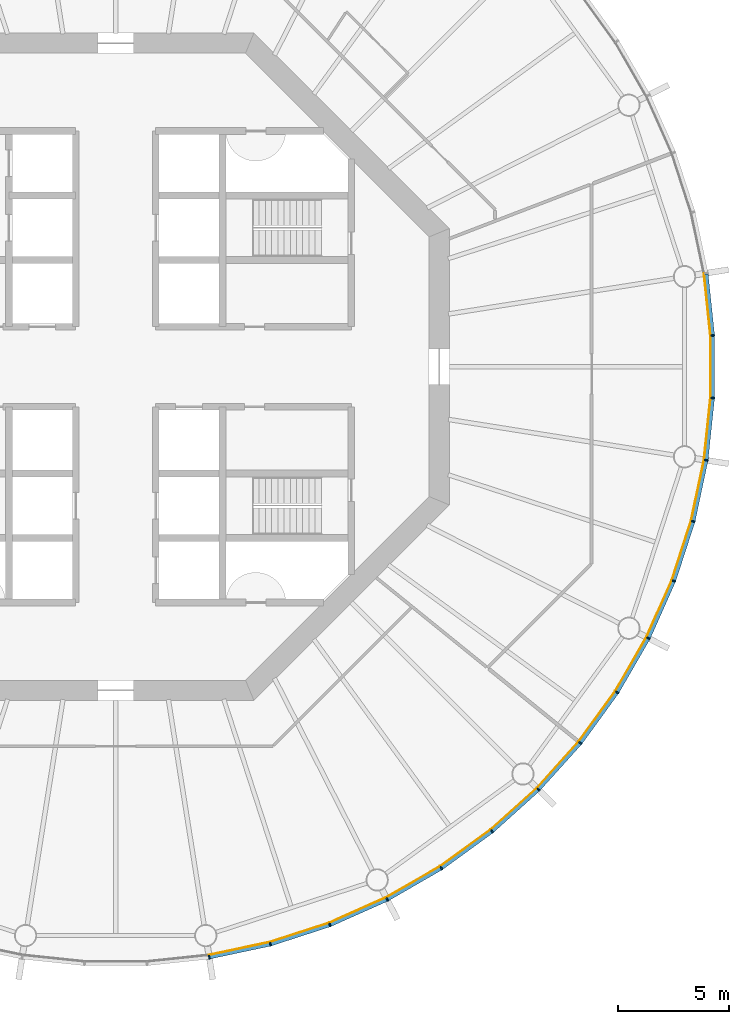
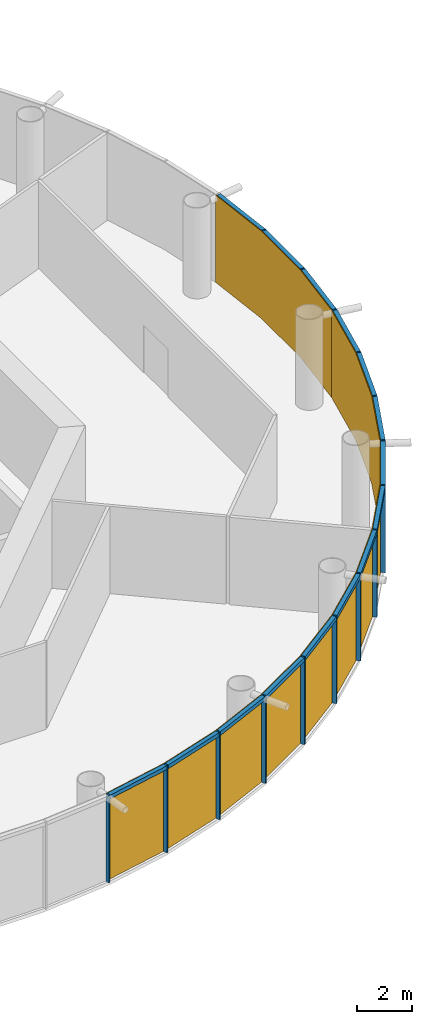
# One storey, part 8 of 12: 30 members, 5 curtain walls.
"""IFC4 building model written with IfcOpenShell, lengths in metres."""

from ifc_helpers import new_model, si_unit, direction, frame, origin, origin_2d, place, context, subcontext, project, spatial, polyline, rectangle, outline, extrude, material, layer, layer_set, material_profile, profile_set, type_object, element, aggregate, save


model = new_model("IFC4")

# Units and contexts
model_context = context("Model", 3, precision=1e-05, world=origin(), true_north=direction((0.0, 1.0)))
body_context = subcontext(model_context, "Body", "Model", "MODEL_VIEW")
ifc_project = project(units=[si_unit("LENGTHUNIT", "METRE"), si_unit("AREAUNIT", "SQUARE_METRE"), si_unit("VOLUMEUNIT", "CUBIC_METRE"), si_unit("PLANEANGLEUNIT", "RADIAN"), si_unit("MASSUNIT", "GRAM", prefix="KILO")], contexts=[model_context])

# Member
ifc_material_1 = material(Name="Anodised aluminium", Category="aluminium")
ifc_material_profile_1 = material_profile(ifc_material_1, rectangle(XDim=0.06005859375, YDim=0.169921875, at=origin_2d()), Name="Mullion 60 x 170 mm anodised aluminium")
ifc_profile_set_1 = profile_set([ifc_material_profile_1], Name="Anodised aluminium")
member_type_1 = type_object("IfcMemberType", Name="Mullion 60 x 170 mm anodised aluminium", PredefinedType="MULLION", material=ifc_profile_set_1)
site_placement = place(None, origin())
building_placement = place(site_placement, origin())
storey_placement = place(building_placement, frame((0.0, 0.0, 214.0)))
member_1_placement = place(storey_placement, frame((94.205810546875, 53.446044921875, 0.0), z_axis=(0.0, 0.0, 1.0), x_axis=(0.987688340595, 0.15643446504, 0.0)))
member_1 = element("IfcMember", 1, at=member_1_placement, type_object=member_type_1, Name="MULLION L49-45", PredefinedType="MULLION", context=body_context, shape_type="SweptSolid", body=[
    extrude(rectangle(XDim=0.06005859375, YDim=0.169921875, at=origin_2d()), origin(), (0.0, 0.0, 1.0), 3.85009765625),
])

member_2_placement = place(storey_placement, frame((96.958251953125, 54.031005859375, 0.0), z_axis=(0.0, 0.0, 1.0), x_axis=(0.965925826289, 0.258819045103, 0.0)))
member_2 = element("IfcMember", 2, at=member_2_placement, type_object=member_type_1, Name="MULLION L49-46", PredefinedType="MULLION", context=body_context, shape_type="SweptSolid", body=[
    extrude(rectangle(XDim=0.06005859375, YDim=0.169921875, at=origin_2d()), origin(), (0.0, 0.0, 1.0), 3.85009765625),
])

member_3_placement = place(storey_placement, frame((99.634765625, 54.900634765625, 0.0), z_axis=(0.0, 0.0, 1.0), x_axis=(0.933580426497, 0.358367949545, 0.0)))
member_3 = element("IfcMember", 3, at=member_3_placement, type_object=member_type_1, Name="MULLION L49-47", PredefinedType="MULLION", context=body_context, shape_type="SweptSolid", body=[
    extrude(rectangle(XDim=0.06005859375, YDim=0.169921875, at=origin_2d()), origin(), (0.0, 0.0, 1.0), 3.85009765625),
])

member_4_placement = place(storey_placement, frame((102.20556640625, 56.04541015625, 0.0), z_axis=(0.0, 0.0, 1.0), x_axis=(0.891006524188, 0.45399049974, 0.0)))
member_4 = element("IfcMember", 4, at=member_4_placement, type_object=member_type_1, Name="MULLION L49-48", PredefinedType="MULLION", context=body_context, shape_type="SweptSolid", body=[
    extrude(rectangle(XDim=0.06005859375, YDim=0.169921875, at=origin_2d()), origin(), (0.0, 0.0, 1.0), 3.85009765625),
])

member_5_placement = place(storey_placement, frame((104.642578125, 57.452392578125, 0.0), z_axis=(0.0, 0.0, 1.0), x_axis=(0.838670567945, 0.544639035015, 0.0)))
member_5 = element("IfcMember", 5, at=member_5_placement, type_object=member_type_1, Name="MULLION L49-49", PredefinedType="MULLION", context=body_context, shape_type="SweptSolid", body=[
    extrude(rectangle(XDim=0.06005859375, YDim=0.169921875, at=origin_2d()), origin(), (0.0, 0.0, 1.0), 3.85009765625),
])

member_6_placement = place(storey_placement, frame((106.919189453125, 59.1064453125, 0.0), z_axis=(0.0, 0.0, 1.0), x_axis=(0.777145961457, 0.62932039105, 0.0)))
member_6 = element("IfcMember", 6, at=member_6_placement, type_object=member_type_1, Name="MULLION L49-50", PredefinedType="MULLION", context=body_context, shape_type="SweptSolid", body=[
    extrude(rectangle(XDim=0.06005859375, YDim=0.169921875, at=origin_2d()), origin(), (0.0, 0.0, 1.0), 3.85009765625),
])

member_7_placement = place(storey_placement, frame((109.010498046875, 60.989501953125, 0.0), z_axis=(0.0, 0.0, 1.0), x_axis=(0.707106781187, 0.707106781187, 0.0)))
member_7 = element("IfcMember", 7, at=member_7_placement, type_object=member_type_1, Name="MULLION L49-51", PredefinedType="MULLION", context=body_context, shape_type="SweptSolid", body=[
    extrude(rectangle(XDim=0.06005859375, YDim=0.169921875, at=origin_2d()), origin(), (0.0, 0.0, 1.0), 3.85009765625),
])

member_8_placement = place(storey_placement, frame((110.8935546875, 63.080810546875, 0.0), z_axis=(0.0, 0.0, 1.0), x_axis=(0.62932039105, 0.777145961457, 0.0)))
member_8 = element("IfcMember", 8, at=member_8_placement, type_object=member_type_1, Name="MULLION L49-52", PredefinedType="MULLION", context=body_context, shape_type="SweptSolid", body=[
    extrude(rectangle(XDim=0.06005859375, YDim=0.169921875, at=origin_2d()), origin(), (0.0, 0.0, 1.0), 3.85009765625),
])

member_9_placement = place(storey_placement, frame((112.547607421875, 65.357421875, 0.0), z_axis=(0.0, 0.0, 1.0), x_axis=(0.544639035015, 0.838670567945, 0.0)))
member_9 = element("IfcMember", 9, at=member_9_placement, type_object=member_type_1, Name="MULLION L49-53", PredefinedType="MULLION", context=body_context, shape_type="SweptSolid", body=[
    extrude(rectangle(XDim=0.06005859375, YDim=0.169921875, at=origin_2d()), origin(), (0.0, 0.0, 1.0), 3.85009765625),
])

member_10_placement = place(storey_placement, frame((113.95458984375, 67.79443359375, 0.0), z_axis=(0.0, 0.0, 1.0), x_axis=(0.45399049974, 0.891006524188, 0.0)))
member_10 = element("IfcMember", 10, at=member_10_placement, type_object=member_type_1, Name="MULLION L49-54", PredefinedType="MULLION", context=body_context, shape_type="SweptSolid", body=[
    extrude(rectangle(XDim=0.06005859375, YDim=0.169921875, at=origin_2d()), origin(), (0.0, 0.0, 1.0), 3.85009765625),
])

member_11_placement = place(storey_placement, frame((115.099365234375, 70.365234375, 0.0), z_axis=(0.0, 0.0, 1.0), x_axis=(0.358367949545, 0.933580426497, 0.0)))
member_11 = element("IfcMember", 11, at=member_11_placement, type_object=member_type_1, Name="MULLION L49-55", PredefinedType="MULLION", context=body_context, shape_type="SweptSolid", body=[
    extrude(rectangle(XDim=0.06005859375, YDim=0.169921875, at=origin_2d()), origin(), (0.0, 0.0, 1.0), 3.85009765625),
])

member_12_placement = place(storey_placement, frame((115.968994140625, 73.041748046875, 0.0), z_axis=(0.0, 0.0, 1.0), x_axis=(0.258819045103, 0.965925826289, 0.0)))
member_12 = element("IfcMember", 12, at=member_12_placement, type_object=member_type_1, Name="MULLION L49-56", PredefinedType="MULLION", context=body_context, shape_type="SweptSolid", body=[
    extrude(rectangle(XDim=0.06005859375, YDim=0.169921875, at=origin_2d()), origin(), (0.0, 0.0, 1.0), 3.85009765625),
])

member_13_placement = place(storey_placement, frame((116.553955078125, 75.794189453125, 0.0), z_axis=(0.0, 0.0, 1.0), x_axis=(0.15643446504, 0.987688340595, 0.0)))
member_13 = element("IfcMember", 13, at=member_13_placement, type_object=member_type_1, Name="MULLION L49-57", PredefinedType="MULLION", context=body_context, shape_type="SweptSolid", body=[
    extrude(rectangle(XDim=0.06005859375, YDim=0.169921875, at=origin_2d()), origin(), (0.0, 0.0, 1.0), 3.85009765625),
])

member_14_placement = place(storey_placement, frame((116.84814453125, 78.593017578125, 0.0), z_axis=(0.0, 0.0, 1.0), x_axis=(0.052335956243, 0.998629534755, 0.0)))
member_14 = element("IfcMember", 14, at=member_14_placement, type_object=member_type_1, Name="MULLION L49-58", PredefinedType="MULLION", context=body_context, shape_type="SweptSolid", body=[
    extrude(rectangle(XDim=0.06005859375, YDim=0.169921875, at=origin_2d()), origin(), (0.0, 0.0, 1.0), 3.85009765625),
])

member_15_placement = place(storey_placement, frame((116.84814453125, 81.406982421875, 0.0), z_axis=(0.0, 0.0, 1.0), x_axis=(-0.052335956243, 0.998629534755, 0.0)))
member_15 = element("IfcMember", 15, at=member_15_placement, type_object=member_type_1, Name="MULLION L49-59", PredefinedType="MULLION", context=body_context, shape_type="SweptSolid", body=[
    extrude(rectangle(XDim=0.06005859375, YDim=0.169921875, at=origin_2d()), origin(), (0.0, 0.0, 1.0), 3.85009765625),
])

ifc_material_2 = material(Name="Anodised aluminium", Category="aluminium")
ifc_material_profile_2 = material_profile(ifc_material_2, rectangle(XDim=0.169921875, YDim=0.1650390625, at=origin_2d()), Name="Transom 165 x 170 mm anodised aluminium")
ifc_profile_set_2 = profile_set([ifc_material_profile_2], Name="Anodised aluminium")
member_type_2 = type_object("IfcMemberType", Name="Transom 165 x 170 mm anodised aluminium", PredefinedType="USERDEFINED", material=ifc_profile_set_2)
member_16_placement = place(storey_placement, frame((94.239501953125, 53.453125, 3.767578125), z_axis=(0.97814212115, 0.207937468562, 0.0), x_axis=(-0.207937468562, 0.97814212115, 0.0)))
member_16 = element("IfcMember", 16, at=member_16_placement, type_object=member_type_2, Name="TRANSOM L49-45", ObjectType="TRANSOM", PredefinedType="USERDEFINED", context=body_context, shape_type="SweptSolid", body=[
    extrude(rectangle(XDim=0.169921875, YDim=0.1650390625, at=origin_2d()), origin(), (0.0, 0.0, 1.0), 2.7451171875),
])

member_17_placement = place(storey_placement, frame((96.9912109375, 54.04150390625, 3.767578125), z_axis=(0.951048445774, 0.309041831781, 0.0), x_axis=(-0.309041831781, 0.951048445774, 0.0)))
member_17 = element("IfcMember", 17, at=member_17_placement, type_object=member_type_2, Name="TRANSOM L49-46", ObjectType="TRANSOM", PredefinedType="USERDEFINED", context=body_context, shape_type="SweptSolid", body=[
    extrude(rectangle(XDim=0.169921875, YDim=0.1650390625, at=origin_2d()), origin(), (0.0, 0.0, 1.0), 2.7451171875),
])

member_18_placement = place(storey_placement, frame((99.666259765625, 54.91455078125, 3.767578125), z_axis=(0.913525267704, 0.406781987391, 0.0), x_axis=(-0.406781987391, 0.913525267704, 0.0)))
member_18 = element("IfcMember", 18, at=member_18_placement, type_object=member_type_2, Name="TRANSOM L49-47", ObjectType="TRANSOM", PredefinedType="USERDEFINED", context=body_context, shape_type="SweptSolid", body=[
    extrude(rectangle(XDim=0.169921875, YDim=0.1650390625, at=origin_2d()), origin(), (0.0, 0.0, 1.0), 2.7451171875),
])

member_19_placement = place(storey_placement, frame((102.2353515625, 56.0625, 3.767578125), z_axis=(0.866034527326, 0.49998419723, 0.0), x_axis=(-0.49998419723, 0.866034527326, 0.0)))
member_19 = element("IfcMember", 19, at=member_19_placement, type_object=member_type_2, Name="TRANSOM L49-48", ObjectType="TRANSOM", PredefinedType="USERDEFINED", context=body_context, shape_type="SweptSolid", body=[
    extrude(rectangle(XDim=0.169921875, YDim=0.1650390625, at=origin_2d()), origin(), (0.0, 0.0, 1.0), 2.7451171875),
])

member_20_placement = place(storey_placement, frame((104.670654296875, 57.472412109375, 3.767578125), z_axis=(0.808959086484, 0.587864947412, 0.0), x_axis=(-0.587864947412, 0.808959086484, 0.0)))
member_20 = element("IfcMember", 20, at=member_20_placement, type_object=member_type_2, Name="TRANSOM L49-49", ObjectType="TRANSOM", PredefinedType="USERDEFINED", context=body_context, shape_type="SweptSolid", body=[
    extrude(rectangle(XDim=0.169921875, YDim=0.1650390625, at=origin_2d()), origin(), (0.0, 0.0, 1.0), 2.7451171875),
])

member_21_placement = place(storey_placement, frame((106.945068359375, 59.12939453125, 3.767578125), z_axis=(0.743134927907, 0.669141598561, 0.0), x_axis=(-0.669141598561, 0.743134927907, 0.0)))
member_21 = element("IfcMember", 21, at=member_21_placement, type_object=member_type_2, Name="TRANSOM L49-50", ObjectType="TRANSOM", PredefinedType="USERDEFINED", context=body_context, shape_type="SweptSolid", body=[
    extrude(rectangle(XDim=0.169921875, YDim=0.1650390625, at=origin_2d()), origin(), (0.0, 0.0, 1.0), 2.7451171875),
])

member_22_placement = place(storey_placement, frame((109.03369140625, 61.014892578125, 3.767578125), z_axis=(0.669141598561, 0.743134927907, 0.0), x_axis=(-0.743134927907, 0.669141598561, 0.0)))
member_22 = element("IfcMember", 22, at=member_22_placement, type_object=member_type_2, Name="TRANSOM L49-51", ObjectType="TRANSOM", PredefinedType="USERDEFINED", context=body_context, shape_type="SweptSolid", body=[
    extrude(rectangle(XDim=0.169921875, YDim=0.1650390625, at=origin_2d()), origin(), (0.0, 0.0, 1.0), 2.7451171875),
])

member_23_placement = place(storey_placement, frame((110.913818359375, 63.108642578125, 3.767578125), z_axis=(0.587864947412, 0.808959086484, 0.0), x_axis=(-0.808959086484, 0.587864947412, 0.0)))
member_23 = element("IfcMember", 23, at=member_23_placement, type_object=member_type_2, Name="TRANSOM L49-52", ObjectType="TRANSOM", PredefinedType="USERDEFINED", context=body_context, shape_type="SweptSolid", body=[
    extrude(rectangle(XDim=0.169921875, YDim=0.1650390625, at=origin_2d()), origin(), (0.0, 0.0, 1.0), 2.7451171875),
])

member_24_placement = place(storey_placement, frame((112.56494140625, 65.38720703125, 3.767578125), z_axis=(0.49998419723, 0.866034527326, 0.0), x_axis=(-0.866034527326, 0.49998419723, 0.0)))
member_24 = element("IfcMember", 24, at=member_24_placement, type_object=member_type_2, Name="TRANSOM L49-53", ObjectType="TRANSOM", PredefinedType="USERDEFINED", context=body_context, shape_type="SweptSolid", body=[
    extrude(rectangle(XDim=0.169921875, YDim=0.1650390625, at=origin_2d()), origin(), (0.0, 0.0, 1.0), 2.7451171875),
])

member_25_placement = place(storey_placement, frame((113.96875, 67.825927734375, 3.767578125), z_axis=(0.406781987391, 0.913525267704, 0.0), x_axis=(-0.913525267704, 0.406781987391, 0.0)))
member_25 = element("IfcMember", 25, at=member_25_placement, type_object=member_type_2, Name="TRANSOM L49-54", ObjectType="TRANSOM", PredefinedType="USERDEFINED", context=body_context, shape_type="SweptSolid", body=[
    extrude(rectangle(XDim=0.169921875, YDim=0.1650390625, at=origin_2d()), origin(), (0.0, 0.0, 1.0), 2.7451171875),
])

member_26_placement = place(storey_placement, frame((115.110107421875, 70.39794921875, 3.767578125), z_axis=(0.309041831781, 0.951048445774, 0.0), x_axis=(-0.951048445774, 0.309041831781, 0.0)))
member_26 = element("IfcMember", 26, at=member_26_placement, type_object=member_type_2, Name="TRANSOM L49-55", ObjectType="TRANSOM", PredefinedType="USERDEFINED", context=body_context, shape_type="SweptSolid", body=[
    extrude(rectangle(XDim=0.169921875, YDim=0.1650390625, at=origin_2d()), origin(), (0.0, 0.0, 1.0), 2.7451171875),
])

member_27_placement = place(storey_placement, frame((115.97607421875, 73.075439453125, 3.767578125), z_axis=(0.207937468562, 0.97814212115, 0.0), x_axis=(-0.97814212115, 0.207937468562, 0.0)))
member_27 = element("IfcMember", 27, at=member_27_placement, type_object=member_type_2, Name="TRANSOM L49-56", ObjectType="TRANSOM", PredefinedType="USERDEFINED", context=body_context, shape_type="SweptSolid", body=[
    extrude(rectangle(XDim=0.169921875, YDim=0.1650390625, at=origin_2d()), origin(), (0.0, 0.0, 1.0), 2.7451171875),
])

member_28_placement = place(storey_placement, frame((116.5576171875, 75.82861328125, 3.767578125), z_axis=(0.104592190102, 0.994515195344, 0.0), x_axis=(-0.994515195344, 0.104592190102, 0.0)))
member_28 = element("IfcMember", 28, at=member_28_placement, type_object=member_type_2, Name="TRANSOM L49-57", ObjectType="TRANSOM", PredefinedType="USERDEFINED", context=body_context, shape_type="SweptSolid", body=[
    extrude(rectangle(XDim=0.169921875, YDim=0.1650390625, at=origin_2d()), origin(), (0.0, 0.0, 1.0), 2.7451171875),
])

member_29_placement = place(storey_placement, frame((116.848388671875, 78.62744140625, 3.767578125), z_axis=(0.0, 1.0, 0.0), x_axis=(-1.0, 0.0, 0.0)))
member_29 = element("IfcMember", 29, at=member_29_placement, type_object=member_type_2, Name="TRANSOM L49-58", ObjectType="TRANSOM", PredefinedType="USERDEFINED", context=body_context, shape_type="SweptSolid", body=[
    extrude(rectangle(XDim=0.169921875, YDim=0.1650390625, at=origin_2d()), origin(), (0.0, 0.0, 1.0), 2.7451171875),
])

member_30_placement = place(storey_placement, frame((116.8447265625, 81.44140625, 3.767578125), z_axis=(-0.104592190102, 0.994515195344, 0.0), x_axis=(-0.994515195344, -0.104592190102, 0.0)))
member_30 = element("IfcMember", 30, at=member_30_placement, type_object=member_type_2, Name="TRANSOM L49-59", ObjectType="TRANSOM", PredefinedType="USERDEFINED", context=body_context, shape_type="SweptSolid", body=[
    extrude(rectangle(XDim=0.169921875, YDim=0.1650390625, at=origin_2d()), origin(), (0.0, 0.0, 1.0), 2.7451171875),
])

# Site, building, storey
site = spatial("IfcSite", under=ifc_project, at=site_placement, CompositionType="ELEMENT")
building = spatial("IfcBuilding", under=site, at=building_placement, Name="Entoto Ring Tower", CompositionType="ELEMENT")
storey = spatial("IfcBuildingStorey", under=building, at=storey_placement, Name="L49", CompositionType="ELEMENT", Elevation=214.0)

# Curtain wall
ifc_material_3 = material(Name="Clear low-iron glass", Category="glass")
ifc_layer = layer(ifc_material_3, 0.031982421875)
ifc_layer_set = layer_set([ifc_layer], Name="Clear low-iron glass")
curtain_wall_type = type_object("IfcCurtainWallType", Name="Curtain wall system CW4 glazing 32 mm", PredefinedType="NOTDEFINED", material=ifc_layer_set)
curtain_wall_1_placement = place(storey_placement, origin())
curtain_wall_1 = element("IfcCurtainWall", 31, at=curtain_wall_1_placement, inside=storey, type_object=curtain_wall_type, Name="CW4 L49-16", PredefinedType="NOTDEFINED", context=body_context, shape_type="SweptSolid", body=[
    extrude(outline(polyline([(94.1923828125, 53.530029296875), (96.936279296875, 54.11328125), (99.604248046875, 54.97998046875), (102.1669921875, 56.12109375), (102.15234375, 56.149658203125), (99.5927734375, 55.010009765625), (96.927978515625, 54.14404296875), (94.1875, 53.5615234375), (94.1923828125, 53.530029296875)])), origin(), (0.0, 0.0, 1.0), 3.85009765625),
])

aggregate(curtain_wall_1, [member_1, member_2, member_3, member_16, member_17, member_18])

curtain_wall_2_placement = place(storey_placement, origin())
curtain_wall_2 = element("IfcCurtainWall", 32, at=curtain_wall_2_placement, inside=storey, type_object=curtain_wall_type, Name="CW4 L49-17", PredefinedType="NOTDEFINED", context=body_context, shape_type="SweptSolid", body=[
    extrude(outline(polyline([(102.1669921875, 56.12109375), (104.596435546875, 57.523681640625), (106.86572265625, 59.172607421875), (108.950439453125, 61.049560546875), (108.927734375, 61.072265625), (106.845703125, 59.197509765625), (104.578857421875, 57.550537109375), (102.15234375, 56.149658203125), (102.1669921875, 56.12109375)])), origin(), (0.0, 0.0, 1.0), 3.85009765625),
])

aggregate(curtain_wall_2, [member_4, member_5, member_6, member_19, member_20, member_21])

curtain_wall_3_placement = place(storey_placement, origin())
curtain_wall_3 = element("IfcCurtainWall", 33, at=curtain_wall_3_placement, inside=storey, type_object=curtain_wall_type, Name="CW4 L49-18", PredefinedType="NOTDEFINED", context=body_context, shape_type="SweptSolid", body=[
    extrude(outline(polyline([(108.950439453125, 61.049560546875), (110.827392578125, 63.13427734375), (112.476318359375, 65.403564453125), (113.87890625, 67.8330078125), (113.850341796875, 67.84765625), (112.449462890625, 65.421142578125), (110.802490234375, 63.154296875), (108.927734375, 61.072265625), (108.950439453125, 61.049560546875)])), origin(), (0.0, 0.0, 1.0), 3.85009765625),
])

aggregate(curtain_wall_3, [member_7, member_8, member_9, member_22, member_23, member_24])

curtain_wall_4_placement = place(storey_placement, origin())
curtain_wall_4 = element("IfcCurtainWall", 34, at=curtain_wall_4_placement, inside=storey, type_object=curtain_wall_type, Name="CW4 L49-19", PredefinedType="NOTDEFINED", context=body_context, shape_type="SweptSolid", body=[
    extrude(outline(polyline([(113.87890625, 67.8330078125), (115.02001953125, 70.395751953125), (115.88671875, 73.063720703125), (116.469970703125, 75.8076171875), (116.4384765625, 75.8125), (115.85595703125, 73.072021484375), (114.989990234375, 70.4072265625), (113.850341796875, 67.84765625), (113.87890625, 67.8330078125)])), origin(), (0.0, 0.0, 1.0), 3.85009765625),
])

aggregate(curtain_wall_4, [member_10, member_11, member_12, member_25, member_26, member_27])

curtain_wall_5_placement = place(storey_placement, origin())
curtain_wall_5 = element("IfcCurtainWall", 35, at=curtain_wall_5_placement, inside=storey, type_object=curtain_wall_type, Name="CW4 L49-20", PredefinedType="NOTDEFINED", context=body_context, shape_type="SweptSolid", body=[
    extrude(outline(polyline([(116.469970703125, 75.8076171875), (116.76318359375, 78.597412109375), (116.76318359375, 81.402587890625), (116.469970703125, 84.1923828125), (116.4384765625, 84.1875), (116.731201171875, 81.40087890625), (116.731201171875, 78.59912109375), (116.4384765625, 75.8125), (116.469970703125, 75.8076171875)])), origin(), (0.0, 0.0, 1.0), 3.85009765625),
])

aggregate(curtain_wall_5, [member_13, member_14, member_15, member_28, member_29, member_30])

save(model, "model.ifc")
